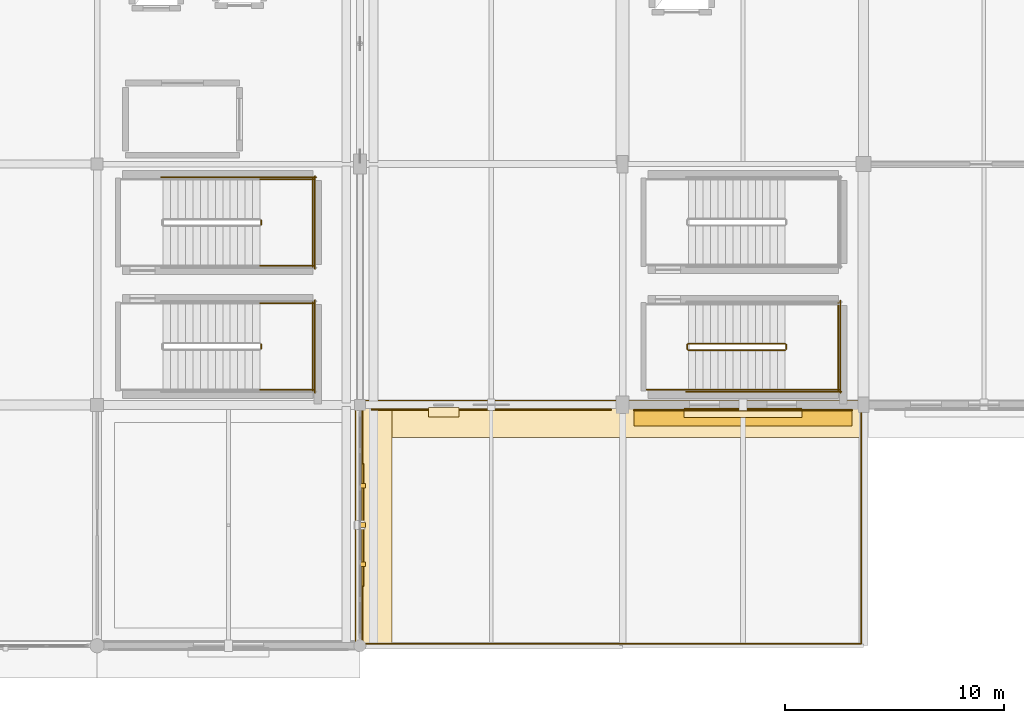
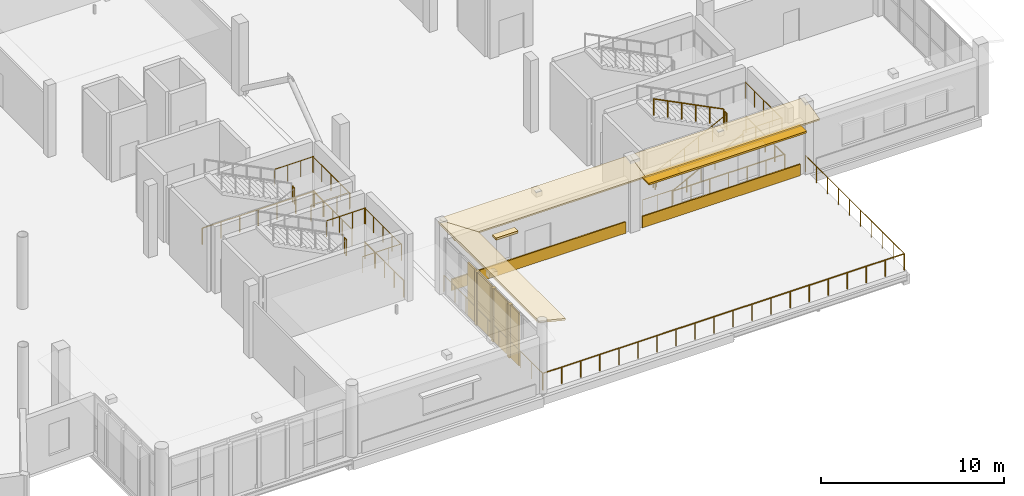
# One storey, part 131 of 143: 24 railings, 10 coverings, 2 shading devices.
"""IFC4 building model written with IfcOpenShell, lengths in metres."""

from ifc_helpers import new_model, si_unit, direction, frame, origin, origin_2d, place, context, subcontext, project, spatial, polyline, rectangle, circle, outline, extrude, material, layer, layer_set, type_object, element, save


model = new_model("IFC4")

# Units and contexts
model_context = context("Model", 3, precision=1e-05, world=origin(), true_north=direction((0.0, 1.0)))
body_context = subcontext(model_context, "Body", "Model", "MODEL_VIEW")
ifc_project = project(units=[si_unit("LENGTHUNIT", "METRE"), si_unit("AREAUNIT", "SQUARE_METRE"), si_unit("VOLUMEUNIT", "CUBIC_METRE"), si_unit("PLANEANGLEUNIT", "RADIAN"), si_unit("MASSUNIT", "GRAM", prefix="KILO")], contexts=[model_context])

# Site, building, storey
site_placement = place(None, origin())
site = spatial("IfcSite", under=ifc_project, at=site_placement, CompositionType="ELEMENT")
building_placement = place(site_placement, origin())
building = spatial("IfcBuilding", under=site, at=building_placement, Name="Luwafu Chhajja Arena", CompositionType="ELEMENT")
storey_placement = place(building_placement, frame((0.0, 0.0, 5.39990234375)))
storey = spatial("IfcBuildingStorey", under=building, at=storey_placement, Name="L01", CompositionType="ELEMENT", Elevation=5.39990234375)

# Coverings
ifc_material_1 = material(Name="Red laterite sandstone cladding", Category="masonry")
ifc_layer_1 = layer(ifc_material_1, 0.074951171875, Name="Red laterite sandstone cladding")
ifc_layer_set_1 = layer_set([ifc_layer_1], Name="Red laterite sandstone cladding")
covering_type = type_object("IfcCoveringType", Name="Dressed Red-Laterite Sandstone Cladding", PredefinedType="CLADDING", material=ifc_layer_set_1)
covering_1_placement = place(storey_placement, frame((163.800048828125, 0.0, 4.760009765625), z_axis=(0.242502450825, 0.0, 0.970150793096), x_axis=(0.0, 1.0, 0.0)))
element("IfcCovering", 1, at=covering_1_placement, inside=storey, type_object=covering_type, Name="L01 Continuous Sloped Sandstone Chhajja Eave 0108", PredefinedType="CLADDING", context=body_context, shape_type="SweptSolid", body=[
    extrude(outline(polyline([(0.0, 0.0), (11.0, 0.0), (11.0, -1.731619097341133), (0.0, -1.731619097341133), (0.0, 0.0)])), origin(), (0.0, 0.0, -1.0), 0.1298828125),
])
for number, where, z_axis, x_axis, name in (
    (2, (164.1298828125, 3.720458984375, 0.0), (0.0, 0.0, 1.0), (0.0, 1.0, 0.0), "L01 Sandstone Jali Mullion Fin 021"),
    (3, (164.1298828125, 5.512451171875, 0.0), (0.0, 0.0, 1.0), (0.0, 1.0, 0.0), "L01 Sandstone Jali Mullion Fin 021"),
    (4, (164.1298828125, 7.304443359375, 0.0), (0.0, 0.0, 1.0), (0.0, 1.0, 0.0), "L01 Sandstone Jali Mullion Fin 021"),
):
    element("IfcCovering", number, at=place(storey_placement, frame(where, z_axis=z_axis, x_axis=x_axis)), inside=storey, type_object=covering_type, Name=name, PredefinedType="CLADDING", context=body_context, shape_type="SweptSolid", body=[
        extrude(rectangle(XDim=0.219970703125, YDim=0.239990234375, at=origin_2d()), origin(), (0.0, 0.0, 1.0), 3.5400390625),
    ])
covering_2_placement = place(storey_placement, frame((164.0, 11.199951171875, 4.760009765625), z_axis=(0.0, -0.242502450825, 0.970150793096), x_axis=(1.0, 0.0, 0.0)))
element("IfcCovering", 5, at=covering_2_placement, inside=storey, type_object=covering_type, Name="L01 Continuous Sloped Sandstone Chhajja Eave 0110", PredefinedType="CLADDING", context=body_context, shape_type="SweptSolid", body=[
    extrude(outline(polyline([(0.0, 0.0), (12.0, 0.0), (12.0, -1.731619097341133), (0.0, -1.731619097341133), (0.0, 0.0)])), origin(), (0.0, 0.0, -1.0), 0.1298828125),
])
covering_3_placement = place(storey_placement, frame((169.9951171875, 10.7880859375, 0.0), z_axis=(0.0, 0.0, 1.0), x_axis=(1.0, 0.0, 0.0)))
element("IfcCovering", 6, at=covering_3_placement, inside=storey, type_object=covering_type, Name="L01 Red-Laterite Sandstone Plinth Cladding 030", PredefinedType="CLADDING", context=body_context, shape_type="SweptSolid", body=[
    extrude(rectangle(XDim=10.969970703125, YDim=0.0849609375, at=origin_2d()), origin(), (0.0, 0.0, 1.0), 0.760009765625),
])
covering_4_placement = place(storey_placement, frame((167.82568359375, 10.659912109375, 2.63037109375), z_axis=(0.0, 0.0, 1.0), x_axis=(1.0, 0.0, 0.0)))
element("IfcCovering", 7, at=covering_4_placement, inside=storey, type_object=covering_type, Name="L01 Mughal Sandstone Window Chhajja Hood 0029", PredefinedType="CLADDING", context=body_context, shape_type="SweptSolid", body=[
    extrude(rectangle(XDim=1.39990234375, YDim=0.419921875, at=origin_2d()), origin(), (0.0, 0.0, 1.0), 0.139892578125),
])
covering_5_placement = place(storey_placement, frame((176.0, 11.199951171875, 4.760009765625), z_axis=(0.0, -0.242502450825, 0.970150793096), x_axis=(1.0, 0.0, 0.0)))
element("IfcCovering", 8, at=covering_5_placement, inside=storey, type_object=covering_type, Name="L01 Continuous Sloped Sandstone Chhajja Eave 0112", PredefinedType="CLADDING", context=body_context, shape_type="SweptSolid", body=[
    extrude(outline(polyline([(0.0, 0.0), (11.0, 0.0), (11.0, -1.731619097341133), (0.0, -1.731619097341133), (0.0, 0.0)])), origin(), (0.0, 0.0, -1.0), 0.1298828125),
])
covering_6_placement = place(storey_placement, frame((181.5, 10.76806640625, 0.0), z_axis=(0.0, 0.0, 1.0), x_axis=(1.0, 0.0, 0.0)))
element("IfcCovering", 9, at=covering_6_placement, inside=storey, type_object=covering_type, Name="L01 Red-Laterite Sandstone Plinth Cladding 032", PredefinedType="CLADDING", context=body_context, shape_type="SweptSolid", body=[
    extrude(rectangle(XDim=9.9599609375, YDim=0.0849609375, at=origin_2d()), origin(), (0.0, 0.0, 1.0), 0.760009765625),
])
covering_7_placement = place(storey_placement, frame((181.5, 10.639892578125, 2.93017578125), z_axis=(0.0, 0.0, 1.0), x_axis=(1.0, 0.0, 0.0)))
element("IfcCovering", 10, at=covering_7_placement, inside=storey, type_object=covering_type, Name="L01 Mughal Sandstone Window Chhajja Hood 0031", PredefinedType="CLADDING", context=body_context, shape_type="SweptSolid", body=[
    extrude(rectangle(XDim=5.3701171875, YDim=0.419921875, at=origin_2d()), origin(), (0.0, 0.0, 1.0), 0.139892578125),
])

# Shading devices
ifc_material_2 = material(Name="Pierced buff sandstone jali", Category="masonry")
ifc_layer_2 = layer(ifc_material_2, 0.080078125, Name="Pierced buff sandstone jali")
ifc_layer_set_2 = layer_set([ifc_layer_2], Name="Pierced buff sandstone jali")
shading_device_type_1 = type_object("IfcShadingDeviceType", Name="Pierced Buff-Sandstone Jali Screen", PredefinedType="JALOUSIE", material=ifc_layer_set_2)
shading_device_1_placement = place(storey_placement, frame((164.1298828125, 5.512451171875, 0.0), z_axis=(0.0, 0.0, 1.0), x_axis=(0.0, 1.0, 0.0)))
element("IfcShadingDevice", 11, at=shading_device_1_placement, inside=storey, type_object=shading_device_type_1, Name="L01 Pierced Buff-Sandstone Jali Screen 021", PredefinedType="JALOUSIE", context=body_context, shape_type="SweptSolid", body=[
    extrude(rectangle(XDim=5.60009765625, YDim=0.080078125, at=origin_2d()), origin(), (0.0, 0.0, 1.0), 3.5400390625),
])
ifc_material_3 = material(Name="Red laterite sandstone chhajja", Category="masonry")
ifc_layer_3 = layer(ifc_material_3, 0.1201171875, Name="Red laterite sandstone chhajja")
ifc_layer_set_3 = layer_set([ifc_layer_3], Name="Red laterite sandstone chhajja")
shading_device_type_2 = type_object("IfcShadingDeviceType", Name="Sloped Red-Sandstone Chhajja Eave", PredefinedType="USERDEFINED", material=ifc_layer_set_3)
shading_device_2_placement = place(storey_placement, frame((181.5, 10.43994140625, 3.27001953125), z_axis=(0.0, 0.0, 1.0), x_axis=(1.0, 0.0, 0.0)))
element("IfcShadingDevice", 12, at=shading_device_2_placement, inside=storey, type_object=shading_device_type_2, Name="L01 Sloped Red-Sandstone Chhajja Eave 037", ObjectType="CHHAJJA", PredefinedType="USERDEFINED", context=body_context, shape_type="SweptSolid", body=[
    extrude(rectangle(XDim=9.9599609375, YDim=0.820068359375, at=origin_2d()), origin(), (0.0, 0.0, 1.0), 0.1201171875),
])

# Railings
ifc_material_4 = material(Name="Stainless steel handrail", Category="steel")
railing_type_1 = type_object("IfcRailingType", Name="Stair Pitch Wall Handrail 920", PredefinedType="HANDRAIL", material=ifc_material_4)
railing_1_placement = place(storey_placement, frame((179.0, 11.699951171875, 0.171630859375)))
element("IfcRailing", 13, at=railing_1_placement, inside=storey, type_object=railing_type_1, Name="L01 ST-15 stair handrail 1", PredefinedType="HANDRAIL", context=body_context, shape_type="SweptSolid", body=[
    extrude(circle(Radius=0.02392578125, at=origin_2d()), frame((0.0, 0.0, 0.8759765625), z_axis=(0.89292277971, 0.0, 0.450209850486), x_axis=(0.0, 1.0, 0.0)), (0.0, 0.0, 1.0), 4.949951171875),
    extrude(circle(Radius=0.02099609375, at=origin_2d()), origin(), (0.0, 0.0, 1.0), 0.851806640625),
    extrude(circle(Radius=0.02099609375, at=origin_2d()), frame((0.884033203125, 0.0, 0.44580078125)), (0.0, 0.0, 1.0), 0.851806640625),
    extrude(circle(Radius=0.02099609375, at=origin_2d()), frame((1.76806640625, 0.0, 0.891357421875)), (0.0, 0.0, 1.0), 0.851806640625),
    extrude(circle(Radius=0.02099609375, at=origin_2d()), frame((2.65185546875, 0.0, 1.337158203125)), (0.0, 0.0, 1.0), 0.851806640625),
    extrude(circle(Radius=0.02099609375, at=origin_2d()), frame((3.535888671875, 0.0, 1.78271484375)), (0.0, 0.0, 1.0), 0.851806640625),
    extrude(circle(Radius=0.02099609375, at=origin_2d()), frame((4.419921875, 0.0, 2.228515625)), (0.0, 0.0, 1.0), 0.851806640625),
])
ifc_material_5 = material(Name="Stainless steel balustrade", Category="steel")
railing_type_2 = type_object("IfcRailingType", Name="Stair and Terrace Guard Balustrade 1100", PredefinedType="BALUSTRADE", material=ifc_material_5)
railing_2_placement = place(storey_placement, frame((159.489990234375, 13.570068359375, 2.400146484375)))
element("IfcRailing", 14, at=railing_2_placement, inside=storey, type_object=railing_type_2, Name="L01 ST-03 stair guard 2", PredefinedType="BALUSTRADE", context=body_context, shape_type="SweptSolid", body=[
    extrude(circle(Radius=0.02392578125, at=origin_2d()), frame((0.0, 0.0, 1.076171875), z_axis=(0.0, 1.0, 0.0), x_axis=(-1.0, 0.0, 0.0)), (0.0, 0.0, 1.0), 0.199951171875),
    extrude(circle(Radius=0.02099609375, at=origin_2d()), origin(), (0.0, 0.0, 1.0), 1.052001953125),
    extrude(circle(Radius=0.02099609375, at=origin_2d()), frame((0.0, 0.199951171875, 0.0)), (0.0, 0.0, 1.0), 1.052001953125),
])
for number, where, name in (
    (15, (159.43994140625, 11.699951171875, 2.400146484375), "L01 ST-03 stair guard 3"),
    (16, (159.43994140625, 15.639892578125, 2.400146484375), "L01 ST-03 stair guard 4"),
):
    element("IfcRailing", number, at=place(storey_placement, frame(where)), inside=storey, type_object=railing_type_2, Name=name, PredefinedType="BALUSTRADE", context=body_context, shape_type="SweptSolid", body=[
        extrude(circle(Radius=0.02392578125, at=origin_2d()), frame((0.0, 0.0, 1.076171875), z_axis=(1.0, 0.0, 0.0), x_axis=(0.0, 1.0, 0.0)), (0.0, 0.0, 1.0), 2.4599609375),
        extrude(circle(Radius=0.02099609375, at=origin_2d()), origin(), (0.0, 0.0, 1.0), 1.052001953125),
        extrude(circle(Radius=0.02099609375, at=origin_2d()), frame((0.820068359375, 0.0, 0.0)), (0.0, 0.0, 1.0), 1.052001953125),
        extrude(circle(Radius=0.02099609375, at=origin_2d()), frame((1.639892578125, 0.0, 0.0)), (0.0, 0.0, 1.0), 1.052001953125),
        extrude(circle(Radius=0.02099609375, at=origin_2d()), frame((2.4599609375, 0.0, 0.0)), (0.0, 0.0, 1.0), 1.052001953125),
    ])
railing_3_placement = place(storey_placement, frame((161.85009765625, 11.64990234375, 2.400146484375)))
element("IfcRailing", 17, at=railing_3_placement, inside=storey, type_object=railing_type_2, Name="L01 ST-03 stair guard 5", PredefinedType="BALUSTRADE", context=body_context, shape_type="SweptSolid", body=[
    extrude(circle(Radius=0.02392578125, at=origin_2d()), frame((0.0, 0.0, 1.076171875), z_axis=(0.0, 1.0, 0.0), x_axis=(-1.0, 0.0, 0.0)), (0.0, 0.0, 1.0), 4.0400390625),
    extrude(circle(Radius=0.02099609375, at=origin_2d()), origin(), (0.0, 0.0, 1.0), 1.052001953125),
    extrude(circle(Radius=0.02099609375, at=origin_2d()), frame((0.0, 1.010009765625, 0.0)), (0.0, 0.0, 1.0), 1.052001953125),
    extrude(circle(Radius=0.02099609375, at=origin_2d()), frame((0.0, 2.02001953125, 0.0)), (0.0, 0.0, 1.0), 1.052001953125),
    extrude(circle(Radius=0.02099609375, at=origin_2d()), frame((0.0, 3.030029296875, 0.0)), (0.0, 0.0, 1.0), 1.052001953125),
    extrude(circle(Radius=0.02099609375, at=origin_2d()), frame((0.0, 4.0400390625, 0.0)), (0.0, 0.0, 1.0), 1.052001953125),
])
railing_4_placement = place(storey_placement, frame((161.949951171875, 11.550048828125, 0.0)))
element("IfcRailing", 18, at=railing_4_placement, inside=storey, type_object=railing_type_2, Name="L01 ST-03 stair guard 12", PredefinedType="BALUSTRADE", context=body_context, shape_type="SweptSolid", body=[
    extrude(circle(Radius=0.02392578125, at=origin_2d()), frame((0.0, 0.0, 1.076171875), z_axis=(0.0, 1.0, 0.0), x_axis=(-1.0, 0.0, 0.0)), (0.0, 0.0, 1.0), 4.239990234375),
    extrude(circle(Radius=0.02099609375, at=origin_2d()), origin(), (0.0, 0.0, 1.0), 1.052001953125),
    extrude(circle(Radius=0.02099609375, at=origin_2d()), frame((0.0, 1.06005859375, 0.0)), (0.0, 0.0, 1.0), 1.052001953125),
    extrude(circle(Radius=0.02099609375, at=origin_2d()), frame((0.0, 2.1201171875, 0.0)), (0.0, 0.0, 1.0), 1.052001953125),
    extrude(circle(Radius=0.02099609375, at=origin_2d()), frame((0.0, 3.179931640625, 0.0)), (0.0, 0.0, 1.0), 1.052001953125),
    extrude(circle(Radius=0.02099609375, at=origin_2d()), frame((0.0, 4.239990234375, 0.0)), (0.0, 0.0, 1.0), 1.052001953125),
])
railing_5_placement = place(storey_placement, frame((159.489990234375, 19.22998046875, 2.400146484375)))
element("IfcRailing", 19, at=railing_5_placement, inside=storey, type_object=railing_type_2, Name="L01 ST-04 stair guard 2", PredefinedType="BALUSTRADE", context=body_context, shape_type="SweptSolid", body=[
    extrude(circle(Radius=0.02392578125, at=origin_2d()), frame((0.0, 0.0, 1.076171875), z_axis=(0.0, 1.0, 0.0), x_axis=(-1.0, 0.0, 0.0)), (0.0, 0.0, 1.0), 0.199951171875),
    extrude(circle(Radius=0.02099609375, at=origin_2d()), origin(), (0.0, 0.0, 1.0), 1.052001953125),
    extrude(circle(Radius=0.02099609375, at=origin_2d()), frame((0.0, 0.199951171875, 0.0)), (0.0, 0.0, 1.0), 1.052001953125),
])
for number, where, name in (
    (20, (159.43994140625, 17.360107421875, 2.400146484375), "L01 ST-04 stair guard 3"),
    (21, (159.43994140625, 21.300048828125, 2.400146484375), "L01 ST-04 stair guard 4"),
):
    element("IfcRailing", number, at=place(storey_placement, frame(where)), inside=storey, type_object=railing_type_2, Name=name, PredefinedType="BALUSTRADE", context=body_context, shape_type="SweptSolid", body=[
        extrude(circle(Radius=0.02392578125, at=origin_2d()), frame((0.0, 0.0, 1.076171875), z_axis=(1.0, 0.0, 0.0), x_axis=(0.0, 1.0, 0.0)), (0.0, 0.0, 1.0), 2.4599609375),
        extrude(circle(Radius=0.02099609375, at=origin_2d()), origin(), (0.0, 0.0, 1.0), 1.052001953125),
        extrude(circle(Radius=0.02099609375, at=origin_2d()), frame((0.820068359375, 0.0, 0.0)), (0.0, 0.0, 1.0), 1.052001953125),
        extrude(circle(Radius=0.02099609375, at=origin_2d()), frame((1.639892578125, 0.0, 0.0)), (0.0, 0.0, 1.0), 1.052001953125),
        extrude(circle(Radius=0.02099609375, at=origin_2d()), frame((2.4599609375, 0.0, 0.0)), (0.0, 0.0, 1.0), 1.052001953125),
    ])
railing_6_placement = place(storey_placement, frame((161.85009765625, 17.31005859375, 2.400146484375)))
element("IfcRailing", 22, at=railing_6_placement, inside=storey, type_object=railing_type_2, Name="L01 ST-04 stair guard 5", PredefinedType="BALUSTRADE", context=body_context, shape_type="SweptSolid", body=[
    extrude(circle(Radius=0.02392578125, at=origin_2d()), frame((0.0, 0.0, 1.076171875), z_axis=(0.0, 1.0, 0.0), x_axis=(-1.0, 0.0, 0.0)), (0.0, 0.0, 1.0), 4.0400390625),
    extrude(circle(Radius=0.02099609375, at=origin_2d()), origin(), (0.0, 0.0, 1.0), 1.052001953125),
    extrude(circle(Radius=0.02099609375, at=origin_2d()), frame((0.0, 1.010009765625, 0.0)), (0.0, 0.0, 1.0), 1.052001953125),
    extrude(circle(Radius=0.02099609375, at=origin_2d()), frame((0.0, 2.02001953125, 0.0)), (0.0, 0.0, 1.0), 1.052001953125),
    extrude(circle(Radius=0.02099609375, at=origin_2d()), frame((0.0, 3.030029296875, 0.0)), (0.0, 0.0, 1.0), 1.052001953125),
    extrude(circle(Radius=0.02099609375, at=origin_2d()), frame((0.0, 4.0400390625, 0.0)), (0.0, 0.0, 1.0), 1.052001953125),
])
railing_7_placement = place(storey_placement, frame((154.919921875, 21.39990234375, 0.0)))
element("IfcRailing", 23, at=railing_7_placement, inside=storey, type_object=railing_type_2, Name="L01 ST-04 stair guard 11", PredefinedType="BALUSTRADE", context=body_context, shape_type="SweptSolid", body=[
    extrude(circle(Radius=0.02392578125, at=origin_2d()), frame((0.0, 0.0, 1.076171875), z_axis=(1.0, 0.0, 0.0), x_axis=(0.0, 1.0, 0.0)), (0.0, 0.0, 1.0), 7.080078125),
    extrude(circle(Radius=0.02099609375, at=origin_2d()), origin(), (0.0, 0.0, 1.0), 1.052001953125),
    extrude(circle(Radius=0.02099609375, at=origin_2d()), frame((1.179931640625, 0.0, 0.0)), (0.0, 0.0, 1.0), 1.052001953125),
    extrude(circle(Radius=0.02099609375, at=origin_2d()), frame((2.360107421875, 0.0, 0.0)), (0.0, 0.0, 1.0), 1.052001953125),
    extrude(circle(Radius=0.02099609375, at=origin_2d()), frame((3.5400390625, 0.0, 0.0)), (0.0, 0.0, 1.0), 1.052001953125),
    extrude(circle(Radius=0.02099609375, at=origin_2d()), frame((4.719970703125, 0.0, 0.0)), (0.0, 0.0, 1.0), 1.052001953125),
    extrude(circle(Radius=0.02099609375, at=origin_2d()), frame((5.900146484375, 0.0, 0.0)), (0.0, 0.0, 1.0), 1.052001953125),
    extrude(circle(Radius=0.02099609375, at=origin_2d()), frame((7.080078125, 0.0, 0.0)), (0.0, 0.0, 1.0), 1.052001953125),
])
railing_8_placement = place(storey_placement, frame((161.949951171875, 17.2099609375, 0.0)))
element("IfcRailing", 24, at=railing_8_placement, inside=storey, type_object=railing_type_2, Name="L01 ST-04 stair guard 12", PredefinedType="BALUSTRADE", context=body_context, shape_type="SweptSolid", body=[
    extrude(circle(Radius=0.02392578125, at=origin_2d()), frame((0.0, 0.0, 1.076171875), z_axis=(0.0, 1.0, 0.0), x_axis=(-1.0, 0.0, 0.0)), (0.0, 0.0, 1.0), 4.239990234375),
    extrude(circle(Radius=0.02099609375, at=origin_2d()), origin(), (0.0, 0.0, 1.0), 1.052001953125),
    extrude(circle(Radius=0.02099609375, at=origin_2d()), frame((0.0, 1.06005859375, 0.0)), (0.0, 0.0, 1.0), 1.052001953125),
    extrude(circle(Radius=0.02099609375, at=origin_2d()), frame((0.0, 2.1201171875, 0.0)), (0.0, 0.0, 1.0), 1.052001953125),
    extrude(circle(Radius=0.02099609375, at=origin_2d()), frame((0.0, 3.179931640625, 0.0)), (0.0, 0.0, 1.0), 1.052001953125),
    extrude(circle(Radius=0.02099609375, at=origin_2d()), frame((0.0, 4.239990234375, 0.0)), (0.0, 0.0, 1.0), 1.052001953125),
])
railing_9_placement = place(storey_placement, frame((179.0, 13.5, 0.171630859375)))
element("IfcRailing", 25, at=railing_9_placement, inside=storey, type_object=railing_type_2, Name="L01 ST-15 stair guard 1", PredefinedType="BALUSTRADE", context=body_context, shape_type="SweptSolid", body=[
    extrude(circle(Radius=0.02392578125, at=origin_2d()), frame((0.0, 0.0, 1.076171875), z_axis=(0.89292277971, 0.0, 0.450209850486), x_axis=(0.0, 1.0, 0.0)), (0.0, 0.0, 1.0), 4.949951171875),
    extrude(circle(Radius=0.02099609375, at=origin_2d()), origin(), (0.0, 0.0, 1.0), 1.052001953125),
    extrude(circle(Radius=0.02099609375, at=origin_2d()), frame((0.884033203125, 0.0, 0.44580078125)), (0.0, 0.0, 1.0), 1.052001953125),
    extrude(circle(Radius=0.02099609375, at=origin_2d()), frame((1.76806640625, 0.0, 0.891357421875)), (0.0, 0.0, 1.0), 1.052001953125),
    extrude(circle(Radius=0.02099609375, at=origin_2d()), frame((2.65185546875, 0.0, 1.337158203125)), (0.0, 0.0, 1.0), 1.052001953125),
    extrude(circle(Radius=0.02099609375, at=origin_2d()), frame((3.535888671875, 0.0, 1.78271484375)), (0.0, 0.0, 1.0), 1.052001953125),
    extrude(circle(Radius=0.02099609375, at=origin_2d()), frame((4.419921875, 0.0, 2.228515625)), (0.0, 0.0, 1.0), 1.052001953125),
])
railing_10_placement = place(storey_placement, frame((183.469970703125, 13.550048828125, 2.400146484375)))
element("IfcRailing", 26, at=railing_10_placement, inside=storey, type_object=railing_type_2, Name="L01 ST-15 stair guard 2", PredefinedType="BALUSTRADE", context=body_context, shape_type="SweptSolid", body=[
    extrude(circle(Radius=0.02392578125, at=origin_2d()), frame((0.0, 0.0, 1.076171875), z_axis=(0.0, 1.0, 0.0), x_axis=(-1.0, 0.0, 0.0)), (0.0, 0.0, 1.0), 0.199951171875),
    extrude(circle(Radius=0.02099609375, at=origin_2d()), origin(), (0.0, 0.0, 1.0), 1.052001953125),
    extrude(circle(Radius=0.02099609375, at=origin_2d()), frame((0.0, 0.199951171875, 0.0)), (0.0, 0.0, 1.0), 1.052001953125),
])
railing_11_placement = place(storey_placement, frame((183.419921875, 11.699951171875, 2.400146484375)))
element("IfcRailing", 27, at=railing_11_placement, inside=storey, type_object=railing_type_2, Name="L01 ST-15 stair guard 3", PredefinedType="BALUSTRADE", context=body_context, shape_type="SweptSolid", body=[
    extrude(circle(Radius=0.02392578125, at=origin_2d()), frame((0.0, 0.0, 1.076171875), z_axis=(1.0, 0.0, 0.0), x_axis=(0.0, 1.0, 0.0)), (0.0, 0.0, 1.0), 2.47998046875),
    extrude(circle(Radius=0.02099609375, at=origin_2d()), origin(), (0.0, 0.0, 1.0), 1.052001953125),
    extrude(circle(Radius=0.02099609375, at=origin_2d()), frame((0.82666015625, 0.0, 0.0)), (0.0, 0.0, 1.0), 1.052001953125),
    extrude(circle(Radius=0.02099609375, at=origin_2d()), frame((1.6533203125, 0.0, 0.0)), (0.0, 0.0, 1.0), 1.052001953125),
    extrude(circle(Radius=0.02099609375, at=origin_2d()), frame((2.47998046875, 0.0, 0.0)), (0.0, 0.0, 1.0), 1.052001953125),
])
railing_12_placement = place(storey_placement, frame((185.85009765625, 11.64990234375, 2.400146484375)))
element("IfcRailing", 28, at=railing_12_placement, inside=storey, type_object=railing_type_2, Name="L01 ST-15 stair guard 5", PredefinedType="BALUSTRADE", context=body_context, shape_type="SweptSolid", body=[
    extrude(circle(Radius=0.02392578125, at=origin_2d()), frame((0.0, 0.0, 1.076171875), z_axis=(0.0, 1.0, 0.0), x_axis=(-1.0, 0.0, 0.0)), (0.0, 0.0, 1.0), 4.0),
    extrude(circle(Radius=0.02099609375, at=origin_2d()), origin(), (0.0, 0.0, 1.0), 1.052001953125),
    extrude(circle(Radius=0.02099609375, at=origin_2d()), frame((0.0, 1.0, 0.0)), (0.0, 0.0, 1.0), 1.052001953125),
    extrude(circle(Radius=0.02099609375, at=origin_2d()), frame((0.0, 2.0, 0.0)), (0.0, 0.0, 1.0), 1.052001953125),
    extrude(circle(Radius=0.02099609375, at=origin_2d()), frame((0.0, 3.0, 0.0)), (0.0, 0.0, 1.0), 1.052001953125),
    extrude(circle(Radius=0.02099609375, at=origin_2d()), frame((0.0, 4.0, 0.0)), (0.0, 0.0, 1.0), 1.052001953125),
])
railing_13_placement = place(storey_placement, frame((183.419921875, 13.800048828125, 2.571533203125)))
element("IfcRailing", 29, at=railing_13_placement, inside=storey, type_object=railing_type_2, Name="L01 ST-15 stair guard 6", PredefinedType="BALUSTRADE", context=body_context, shape_type="SweptSolid", body=[
    extrude(circle(Radius=0.02392578125, at=origin_2d()), frame((0.0, 0.0, 1.076171875), z_axis=(-0.89292277971, 0.0, 0.450209850486), x_axis=(0.0, -1.0, 0.0)), (0.0, 0.0, 1.0), 4.949951171875),
    extrude(circle(Radius=0.02099609375, at=origin_2d()), origin(), (0.0, 0.0, 1.0), 1.052001953125),
    extrude(circle(Radius=0.02099609375, at=origin_2d()), frame((-0.884033203125, 0.0, 0.44580078125)), (0.0, 0.0, 1.0), 1.052001953125),
    extrude(circle(Radius=0.02099609375, at=origin_2d()), frame((-1.76806640625, 0.0, 0.891357421875)), (0.0, 0.0, 1.0), 1.052001953125),
    extrude(circle(Radius=0.02099609375, at=origin_2d()), frame((-2.65185546875, 0.0, 1.337158203125)), (0.0, 0.0, 1.0), 1.052001953125),
    extrude(circle(Radius=0.02099609375, at=origin_2d()), frame((-3.535888671875, 0.0, 1.78271484375)), (0.0, 0.0, 1.0), 1.052001953125),
    extrude(circle(Radius=0.02099609375, at=origin_2d()), frame((-4.419921875, 0.0, 2.228515625)), (0.0, 0.0, 1.0), 1.052001953125),
])
railing_14_placement = place(storey_placement, frame((178.949951171875, 13.550048828125, 0.0)))
element("IfcRailing", 30, at=railing_14_placement, inside=storey, type_object=railing_type_2, Name="L01 ST-15 stair guard 7", PredefinedType="BALUSTRADE", context=body_context, shape_type="SweptSolid", body=[
    extrude(circle(Radius=0.02392578125, at=origin_2d()), frame((0.0, 0.0, 1.076171875), z_axis=(0.0, 1.0, 0.0), x_axis=(-1.0, 0.0, 0.0)), (0.0, 0.0, 1.0), 0.199951171875),
    extrude(circle(Radius=0.02099609375, at=origin_2d()), origin(), (0.0, 0.0, 1.0), 1.052001953125),
    extrude(circle(Radius=0.02099609375, at=origin_2d()), frame((0.0, 0.199951171875, 0.0)), (0.0, 0.0, 1.0), 1.052001953125),
])
railing_15_placement = place(storey_placement, frame((177.10009765625, 11.699951171875, 0.0)))
element("IfcRailing", 31, at=railing_15_placement, inside=storey, type_object=railing_type_2, Name="L01 ST-15 stair guard 8", PredefinedType="BALUSTRADE", context=body_context, shape_type="SweptSolid", body=[
    extrude(circle(Radius=0.02392578125, at=origin_2d()), frame((0.0, 0.0, 1.076171875), z_axis=(1.0, 0.0, 0.0), x_axis=(0.0, 1.0, 0.0)), (0.0, 0.0, 1.0), 1.89990234375),
    extrude(circle(Radius=0.02099609375, at=origin_2d()), origin(), (0.0, 0.0, 1.0), 1.052001953125),
    extrude(circle(Radius=0.02099609375, at=origin_2d()), frame((0.949951171875, 0.0, 0.0)), (0.0, 0.0, 1.0), 1.052001953125),
    extrude(circle(Radius=0.02099609375, at=origin_2d()), frame((1.89990234375, 0.0, 0.0)), (0.0, 0.0, 1.0), 1.052001953125),
])
railing_16_placement = place(storey_placement, frame((178.89990234375, 11.60009765625, 0.0)))
element("IfcRailing", 32, at=railing_16_placement, inside=storey, type_object=railing_type_2, Name="L01 ST-15 stair guard 10", PredefinedType="BALUSTRADE", context=body_context, shape_type="SweptSolid", body=[
    extrude(circle(Radius=0.02392578125, at=origin_2d()), frame((0.0, 0.0, 1.076171875), z_axis=(1.0, 0.0, 0.0), x_axis=(0.0, 1.0, 0.0)), (0.0, 0.0, 1.0), 7.10009765625),
    extrude(circle(Radius=0.02099609375, at=origin_2d()), origin(), (0.0, 0.0, 1.0), 1.052001953125),
    extrude(circle(Radius=0.02099609375, at=origin_2d()), frame((1.183349609375, 0.0, 0.0)), (0.0, 0.0, 1.0), 1.052001953125),
    extrude(circle(Radius=0.02099609375, at=origin_2d()), frame((2.36669921875, 0.0, 0.0)), (0.0, 0.0, 1.0), 1.052001953125),
    extrude(circle(Radius=0.02099609375, at=origin_2d()), frame((3.550048828125, 0.0, 0.0)), (0.0, 0.0, 1.0), 1.052001953125),
    extrude(circle(Radius=0.02099609375, at=origin_2d()), frame((4.7333984375, 0.0, 0.0)), (0.0, 0.0, 1.0), 1.052001953125),
    extrude(circle(Radius=0.02099609375, at=origin_2d()), frame((5.916748046875, 0.0, 0.0)), (0.0, 0.0, 1.0), 1.052001953125),
    extrude(circle(Radius=0.02099609375, at=origin_2d()), frame((7.10009765625, 0.0, 0.0)), (0.0, 0.0, 1.0), 1.052001953125),
])
railing_17_placement = place(storey_placement, frame((185.949951171875, 11.550048828125, 0.0)))
element("IfcRailing", 33, at=railing_17_placement, inside=storey, type_object=railing_type_2, Name="L01 ST-15 stair guard 12", PredefinedType="BALUSTRADE", context=body_context, shape_type="SweptSolid", body=[
    extrude(circle(Radius=0.02392578125, at=origin_2d()), frame((0.0, 0.0, 1.076171875), z_axis=(0.0, 1.0, 0.0), x_axis=(-1.0, 0.0, 0.0)), (0.0, 0.0, 1.0), 4.199951171875),
    extrude(circle(Radius=0.02099609375, at=origin_2d()), origin(), (0.0, 0.0, 1.0), 1.052001953125),
    extrude(circle(Radius=0.02099609375, at=origin_2d()), frame((0.0, 1.050048828125, 0.0)), (0.0, 0.0, 1.0), 1.052001953125),
    extrude(circle(Radius=0.02099609375, at=origin_2d()), frame((0.0, 2.10009765625, 0.0)), (0.0, 0.0, 1.0), 1.052001953125),
    extrude(circle(Radius=0.02099609375, at=origin_2d()), frame((0.0, 3.14990234375, 0.0)), (0.0, 0.0, 1.0), 1.052001953125),
    extrude(circle(Radius=0.02099609375, at=origin_2d()), frame((0.0, 4.199951171875, 0.0)), (0.0, 0.0, 1.0), 1.052001953125),
])
railing_18_placement = place(storey_placement, frame((164.10009765625, 10.89990234375, 0.0)))
element("IfcRailing", 34, at=railing_18_placement, inside=storey, type_object=railing_type_2, Name="L01 Terrace Balustrade 0001", PredefinedType="BALUSTRADE", context=body_context, shape_type="SweptSolid", body=[
    extrude(circle(Radius=0.02392578125, at=origin_2d()), frame((0.0, 0.0, 1.09619140625), z_axis=(0.0, -1.0, 0.0), x_axis=(1.0, 0.0, 0.0)), (0.0, 0.0, 1.0), 10.7998046875),
    extrude(circle(Radius=0.02099609375, at=origin_2d()), origin(), (0.0, 0.0, 1.0), 1.072021484375),
    extrude(circle(Radius=0.02099609375, at=origin_2d()), frame((0.0, -1.199951171875, 0.0)), (0.0, 0.0, 1.0), 1.072021484375),
    extrude(circle(Radius=0.02099609375, at=origin_2d()), frame((0.0, -2.39990234375, 0.0)), (0.0, 0.0, 1.0), 1.072021484375),
    extrude(circle(Radius=0.02099609375, at=origin_2d()), frame((0.0, -3.599853515625, 0.0)), (0.0, 0.0, 1.0), 1.072021484375),
    extrude(circle(Radius=0.02099609375, at=origin_2d()), frame((0.0, -4.7998046875, 0.0)), (0.0, 0.0, 1.0), 1.072021484375),
    extrude(circle(Radius=0.02099609375, at=origin_2d()), frame((0.0, -6.0, 0.0)), (0.0, 0.0, 1.0), 1.072021484375),
    extrude(circle(Radius=0.02099609375, at=origin_2d()), frame((0.0, -7.199951171875, 0.0)), (0.0, 0.0, 1.0), 1.072021484375),
    extrude(circle(Radius=0.02099609375, at=origin_2d()), frame((0.0, -8.39990234375, 0.0)), (0.0, 0.0, 1.0), 1.072021484375),
    extrude(circle(Radius=0.02099609375, at=origin_2d()), frame((0.0, -9.599853515625, 0.0)), (0.0, 0.0, 1.0), 1.072021484375),
    extrude(circle(Radius=0.02099609375, at=origin_2d()), frame((0.0, -10.7998046875, 0.0)), (0.0, 0.0, 1.0), 1.072021484375),
])
railing_19_placement = place(storey_placement, frame((164.10009765625, 0.10009765625, 0.0)))
element("IfcRailing", 35, at=railing_19_placement, inside=storey, type_object=railing_type_2, Name="L01 Terrace Balustrade 0002", PredefinedType="BALUSTRADE", context=body_context, shape_type="SweptSolid", body=[
    extrude(circle(Radius=0.02392578125, at=origin_2d()), frame((0.0, 0.0, 1.09619140625), z_axis=(1.0, 0.0, 0.0), x_axis=(0.0, 1.0, 0.0)), (0.0, 0.0, 1.0), 22.7998046875),
    extrude(circle(Radius=0.02099609375, at=origin_2d()), origin(), (0.0, 0.0, 1.0), 1.072021484375),
    extrude(circle(Radius=0.02099609375, at=origin_2d()), frame((1.199951171875, 0.0, 0.0)), (0.0, 0.0, 1.0), 1.072021484375),
    extrude(circle(Radius=0.02099609375, at=origin_2d()), frame((2.39990234375, 0.0, 0.0)), (0.0, 0.0, 1.0), 1.072021484375),
    extrude(circle(Radius=0.02099609375, at=origin_2d()), frame((3.599853515625, 0.0, 0.0)), (0.0, 0.0, 1.0), 1.072021484375),
    extrude(circle(Radius=0.02099609375, at=origin_2d()), frame((4.800048828125, 0.0, 0.0)), (0.0, 0.0, 1.0), 1.072021484375),
    extrude(circle(Radius=0.02099609375, at=origin_2d()), frame((6.0, 0.0, 0.0)), (0.0, 0.0, 1.0), 1.072021484375),
    extrude(circle(Radius=0.02099609375, at=origin_2d()), frame((7.199951171875, 0.0, 0.0)), (0.0, 0.0, 1.0), 1.072021484375),
    extrude(circle(Radius=0.02099609375, at=origin_2d()), frame((8.39990234375, 0.0, 0.0)), (0.0, 0.0, 1.0), 1.072021484375),
    extrude(circle(Radius=0.02099609375, at=origin_2d()), frame((9.599853515625, 0.0, 0.0)), (0.0, 0.0, 1.0), 1.072021484375),
    extrude(circle(Radius=0.02099609375, at=origin_2d()), frame((10.7998046875, 0.0, 0.0)), (0.0, 0.0, 1.0), 1.072021484375),
    extrude(circle(Radius=0.02099609375, at=origin_2d()), frame((12.0, 0.0, 0.0)), (0.0, 0.0, 1.0), 1.072021484375),
    extrude(circle(Radius=0.02099609375, at=origin_2d()), frame((13.199951171875, 0.0, 0.0)), (0.0, 0.0, 1.0), 1.072021484375),
    extrude(circle(Radius=0.02099609375, at=origin_2d()), frame((14.39990234375, 0.0, 0.0)), (0.0, 0.0, 1.0), 1.072021484375),
    extrude(circle(Radius=0.02099609375, at=origin_2d()), frame((15.599853515625, 0.0, 0.0)), (0.0, 0.0, 1.0), 1.072021484375),
    extrude(circle(Radius=0.02099609375, at=origin_2d()), frame((16.7998046875, 0.0, 0.0)), (0.0, 0.0, 1.0), 1.072021484375),
    extrude(circle(Radius=0.02099609375, at=origin_2d()), frame((17.999755859375, 0.0, 0.0)), (0.0, 0.0, 1.0), 1.072021484375),
    extrude(circle(Radius=0.02099609375, at=origin_2d()), frame((19.199951171875, 0.0, 0.0)), (0.0, 0.0, 1.0), 1.072021484375),
    extrude(circle(Radius=0.02099609375, at=origin_2d()), frame((20.39990234375, 0.0, 0.0)), (0.0, 0.0, 1.0), 1.072021484375),
    extrude(circle(Radius=0.02099609375, at=origin_2d()), frame((21.599853515625, 0.0, 0.0)), (0.0, 0.0, 1.0), 1.072021484375),
    extrude(circle(Radius=0.02099609375, at=origin_2d()), frame((22.7998046875, 0.0, 0.0)), (0.0, 0.0, 1.0), 1.072021484375),
])
railing_20_placement = place(storey_placement, frame((186.89990234375, 0.10009765625, 0.0)))
element("IfcRailing", 36, at=railing_20_placement, inside=storey, type_object=railing_type_2, Name="L01 Terrace Balustrade 0003", PredefinedType="BALUSTRADE", context=body_context, shape_type="SweptSolid", body=[
    extrude(circle(Radius=0.02392578125, at=origin_2d()), frame((0.0, 0.0, 1.09619140625), z_axis=(0.0, 1.0, 0.0), x_axis=(-1.0, 0.0, 0.0)), (0.0, 0.0, 1.0), 10.7998046875),
    extrude(circle(Radius=0.02099609375, at=origin_2d()), origin(), (0.0, 0.0, 1.0), 1.072021484375),
    extrude(circle(Radius=0.02099609375, at=origin_2d()), frame((0.0, 1.199951171875, 0.0)), (0.0, 0.0, 1.0), 1.072021484375),
    extrude(circle(Radius=0.02099609375, at=origin_2d()), frame((0.0, 2.39990234375, 0.0)), (0.0, 0.0, 1.0), 1.072021484375),
    extrude(circle(Radius=0.02099609375, at=origin_2d()), frame((0.0, 3.599853515625, 0.0)), (0.0, 0.0, 1.0), 1.072021484375),
    extrude(circle(Radius=0.02099609375, at=origin_2d()), frame((0.0, 4.7998046875, 0.0)), (0.0, 0.0, 1.0), 1.072021484375),
    extrude(circle(Radius=0.02099609375, at=origin_2d()), frame((0.0, 6.0, 0.0)), (0.0, 0.0, 1.0), 1.072021484375),
    extrude(circle(Radius=0.02099609375, at=origin_2d()), frame((0.0, 7.199951171875, 0.0)), (0.0, 0.0, 1.0), 1.072021484375),
    extrude(circle(Radius=0.02099609375, at=origin_2d()), frame((0.0, 8.39990234375, 0.0)), (0.0, 0.0, 1.0), 1.072021484375),
    extrude(circle(Radius=0.02099609375, at=origin_2d()), frame((0.0, 9.599853515625, 0.0)), (0.0, 0.0, 1.0), 1.072021484375),
    extrude(circle(Radius=0.02099609375, at=origin_2d()), frame((0.0, 10.7998046875, 0.0)), (0.0, 0.0, 1.0), 1.072021484375),
])

save(model, "model.ifc")
